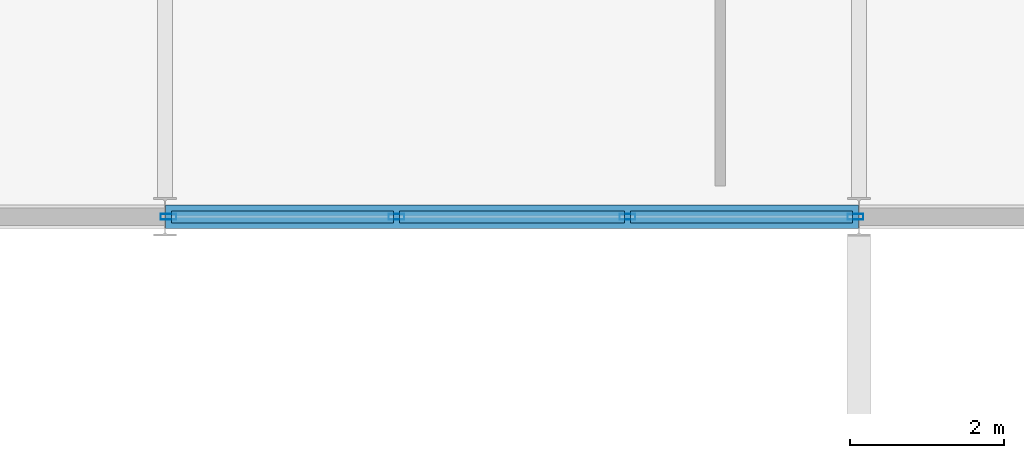
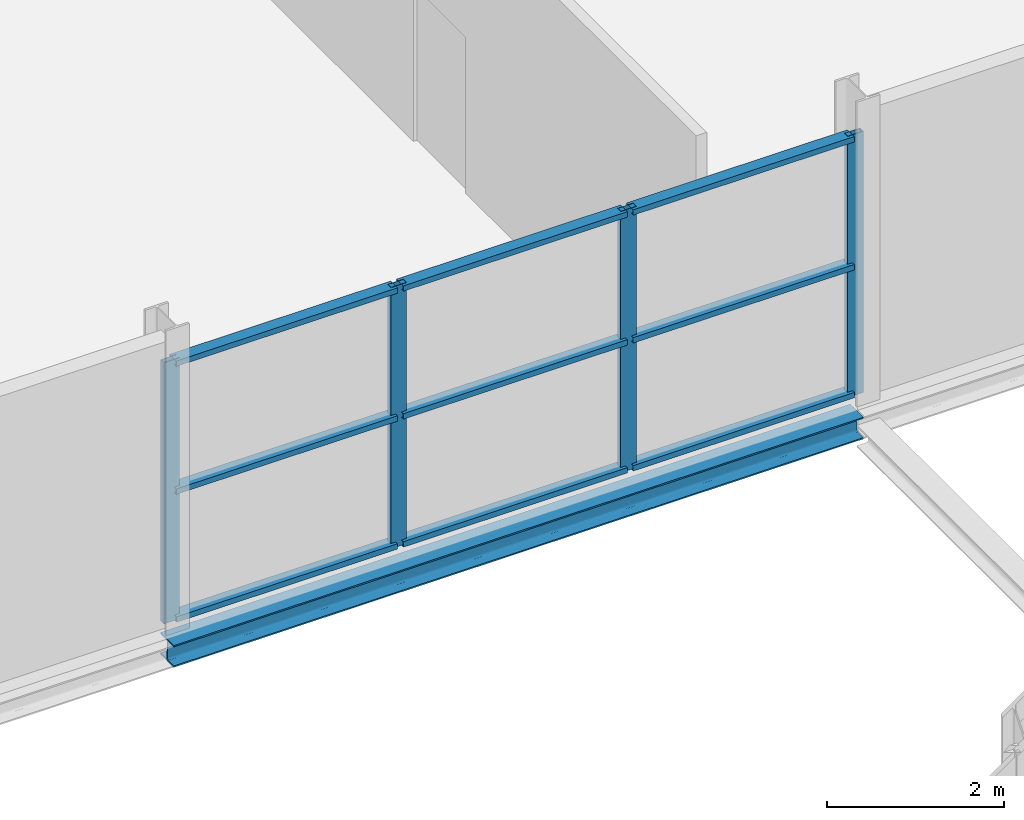
# One storey, part 43 of 135: 13 members, 1 beam, 1 element without a shape of its own.
"""IFC4 building model written with IfcOpenShell, lengths in metres."""

from ifc_helpers import new_model, si_unit, direction, frame, origin, origin_2d, place, context, subcontext, project, spatial, hollow_rectangle, i_section, extrude, material, layer, layer_set, material_profile, profile_set, type_object, element, aggregate, save


model = new_model("IFC4")

# Units and contexts
model_context = context("Model", 3, precision=1e-05, world=origin(), true_north=direction((0.0, 1.0)))
body_context = subcontext(model_context, "Body", "Model", "MODEL_VIEW")
ifc_project = project(units=[si_unit("LENGTHUNIT", "METRE"), si_unit("AREAUNIT", "SQUARE_METRE"), si_unit("VOLUMEUNIT", "CUBIC_METRE"), si_unit("PLANEANGLEUNIT", "RADIAN"), si_unit("MASSUNIT", "GRAM", prefix="KILO")], contexts=[model_context])

# Site, building, storey
site_placement = place(None, origin())
site = spatial("IfcSite", under=ifc_project, at=site_placement, CompositionType="ELEMENT")
building_placement = place(site_placement, origin())
building = spatial("IfcBuilding", under=site, at=building_placement, Name="Deido Ridge Mobility Hub", CompositionType="ELEMENT")
storey_placement = place(building_placement, frame((0.0, 0.0, 4.199951171875)))
storey = spatial("IfcBuildingStorey", under=building, at=storey_placement, Name="L01", CompositionType="ELEMENT", Elevation=4.199951171875)

# Curtain wall, members
ifc_material_1 = material(Name="Anodised aluminium EN AW-6063 T6", Category="aluminium")
ifc_layer = layer(ifc_material_1, 0.156005859375, Name="Anodised aluminium EN AW-6063 T6")
ifc_layer_set = layer_set([ifc_layer], Name="Anodised aluminium EN AW-6063 T6")
curtain_wall_type = type_object("IfcCurtainWallType", Name="CW-GS-3", PredefinedType="USERDEFINED", material=ifc_layer_set)
curtain_wall_placement = place(storey_placement, origin())
curtain_wall = element("IfcCurtainWall", 1, at=curtain_wall_placement, inside=storey, type_object=curtain_wall_type, Name="Unitised curtain wall GS3", ObjectType="GLAZED SCREEN", PredefinedType="USERDEFINED")
ifc_material_profile_1 = material_profile(ifc_material_1, hollow_rectangle(XDim=0.074951171875, YDim=0.205078125, WallThickness=0.00390625, at=origin_2d()), Name="RHS 75x205x4")
ifc_profile_set_1 = profile_set([ifc_material_profile_1], Name="Anodised aluminium EN AW-6063 T6")
member_type_1 = type_object("IfcMemberType", Name="MEM-MUL-75X205", PredefinedType="MULLION", material=ifc_profile_set_1)
member_1_placement = place(storey_placement, frame((18.044677734375, 45.0, 0.0), z_axis=(0.0, 0.0, 1.0), x_axis=(0.0, 1.0, 0.0)))
member_1 = element("IfcMember", 2, at=member_1_placement, type_object=member_type_1, Name="GS3 mullion 1", PredefinedType="MULLION", context=body_context, shape_type="SweptSolid", body=[
    extrude(hollow_rectangle(XDim=0.074951171875, YDim=0.205078125, WallThickness=0.00390625, at=origin_2d()), origin(), (0.0, 0.0, 1.0), 3.60009765625),
])
member_2_placement = place(storey_placement, frame((21.00244140625, 45.0, 0.0), z_axis=(0.0, 0.0, 1.0), x_axis=(0.0, 1.0, 0.0)))
member_2 = element("IfcMember", 3, at=member_2_placement, type_object=member_type_1, Name="GS3 mullion 2", PredefinedType="MULLION", context=body_context, shape_type="SweptSolid", body=[
    extrude(hollow_rectangle(XDim=0.074951171875, YDim=0.205078125, WallThickness=0.00390625, at=origin_2d()), origin(), (0.0, 0.0, 1.0), 3.60009765625),
])
member_3_placement = place(storey_placement, frame((23.99755859375, 45.0, 0.0), z_axis=(0.0, 0.0, 1.0), x_axis=(0.0, 1.0, 0.0)))
member_3 = element("IfcMember", 4, at=member_3_placement, type_object=member_type_1, Name="GS3 mullion 3", PredefinedType="MULLION", context=body_context, shape_type="SweptSolid", body=[
    extrude(hollow_rectangle(XDim=0.074951171875, YDim=0.205078125, WallThickness=0.00390625, at=origin_2d()), origin(), (0.0, 0.0, 1.0), 3.60009765625),
])
member_4_placement = place(storey_placement, frame((26.955322265625, 45.0, 0.0), z_axis=(0.0, 0.0, 1.0), x_axis=(0.0, 1.0, 0.0)))
member_4 = element("IfcMember", 5, at=member_4_placement, type_object=member_type_1, Name="GS3 mullion 4", PredefinedType="MULLION", context=body_context, shape_type="SweptSolid", body=[
    extrude(hollow_rectangle(XDim=0.074951171875, YDim=0.205078125, WallThickness=0.00390625, at=origin_2d()), origin(), (0.0, 0.0, 1.0), 3.60009765625),
])
ifc_material_profile_2 = material_profile(ifc_material_1, hollow_rectangle(XDim=0.155029296875, YDim=0.074951171875, WallThickness=0.00390625, at=origin_2d()), Name="RHS 155x75x4")
ifc_profile_set_2 = profile_set([ifc_material_profile_2], Name="Anodised aluminium EN AW-6063 T6")
member_type_2 = type_object("IfcMemberType", Name="MEM-TRN-155X75", PredefinedType="USERDEFINED", material=ifc_profile_set_2)
member_5_placement = place(storey_placement, frame((18.082275390625, 45.0, 0.03759765625), z_axis=(1.0, 0.0, 0.0), x_axis=(0.0, 1.0, 0.0)))
member_5 = element("IfcMember", 6, at=member_5_placement, type_object=member_type_2, Name="GS3 transom 1.1", ObjectType="TRANSOM", PredefinedType="USERDEFINED", context=body_context, shape_type="SweptSolid", body=[
    extrude(hollow_rectangle(XDim=0.155029296875, YDim=0.074951171875, WallThickness=0.00390625, at=origin_2d()), origin(), (0.0, 0.0, 1.0), 2.882568359375),
])
member_6_placement = place(storey_placement, frame((18.082275390625, 45.0, 1.800048828125), z_axis=(1.0, 0.0, 0.0), x_axis=(0.0, 1.0, 0.0)))
member_6 = element("IfcMember", 7, at=member_6_placement, type_object=member_type_2, Name="GS3 transom 1.2", ObjectType="TRANSOM", PredefinedType="USERDEFINED", context=body_context, shape_type="SweptSolid", body=[
    extrude(hollow_rectangle(XDim=0.155029296875, YDim=0.074951171875, WallThickness=0.00390625, at=origin_2d()), origin(), (0.0, 0.0, 1.0), 2.882568359375),
])
member_7_placement = place(storey_placement, frame((18.082275390625, 45.0, 3.5625), z_axis=(1.0, 0.0, 0.0), x_axis=(0.0, 1.0, 0.0)))
member_7 = element("IfcMember", 8, at=member_7_placement, type_object=member_type_2, Name="GS3 transom 1.3", ObjectType="TRANSOM", PredefinedType="USERDEFINED", context=body_context, shape_type="SweptSolid", body=[
    extrude(hollow_rectangle(XDim=0.155029296875, YDim=0.074951171875, WallThickness=0.00390625, at=origin_2d()), origin(), (0.0, 0.0, 1.0), 2.882568359375),
])
member_8_placement = place(storey_placement, frame((21.039794921875, 45.0, 0.03759765625), z_axis=(1.0, 0.0, 0.0), x_axis=(0.0, 1.0, 0.0)))
member_8 = element("IfcMember", 9, at=member_8_placement, type_object=member_type_2, Name="GS3 transom 2.1", ObjectType="TRANSOM", PredefinedType="USERDEFINED", context=body_context, shape_type="SweptSolid", body=[
    extrude(hollow_rectangle(XDim=0.155029296875, YDim=0.074951171875, WallThickness=0.00390625, at=origin_2d()), origin(), (0.0, 0.0, 1.0), 2.92041015625),
])
member_9_placement = place(storey_placement, frame((21.039794921875, 45.0, 1.800048828125), z_axis=(1.0, 0.0, 0.0), x_axis=(0.0, 1.0, 0.0)))
member_9 = element("IfcMember", 10, at=member_9_placement, type_object=member_type_2, Name="GS3 transom 2.2", ObjectType="TRANSOM", PredefinedType="USERDEFINED", context=body_context, shape_type="SweptSolid", body=[
    extrude(hollow_rectangle(XDim=0.155029296875, YDim=0.074951171875, WallThickness=0.00390625, at=origin_2d()), origin(), (0.0, 0.0, 1.0), 2.92041015625),
])
member_10_placement = place(storey_placement, frame((21.039794921875, 45.0, 3.5625), z_axis=(1.0, 0.0, 0.0), x_axis=(0.0, 1.0, 0.0)))
member_10 = element("IfcMember", 11, at=member_10_placement, type_object=member_type_2, Name="GS3 transom 2.3", ObjectType="TRANSOM", PredefinedType="USERDEFINED", context=body_context, shape_type="SweptSolid", body=[
    extrude(hollow_rectangle(XDim=0.155029296875, YDim=0.074951171875, WallThickness=0.00390625, at=origin_2d()), origin(), (0.0, 0.0, 1.0), 2.92041015625),
])
member_11_placement = place(storey_placement, frame((24.03515625, 45.0, 0.03759765625), z_axis=(1.0, 0.0, 0.0), x_axis=(0.0, 1.0, 0.0)))
member_11 = element("IfcMember", 12, at=member_11_placement, type_object=member_type_2, Name="GS3 transom 3.1", ObjectType="TRANSOM", PredefinedType="USERDEFINED", context=body_context, shape_type="SweptSolid", body=[
    extrude(hollow_rectangle(XDim=0.155029296875, YDim=0.074951171875, WallThickness=0.00390625, at=origin_2d()), origin(), (0.0, 0.0, 1.0), 2.882568359375),
])
member_12_placement = place(storey_placement, frame((24.03515625, 45.0, 1.800048828125), z_axis=(1.0, 0.0, 0.0), x_axis=(0.0, 1.0, 0.0)))
member_12 = element("IfcMember", 13, at=member_12_placement, type_object=member_type_2, Name="GS3 transom 3.2", ObjectType="TRANSOM", PredefinedType="USERDEFINED", context=body_context, shape_type="SweptSolid", body=[
    extrude(hollow_rectangle(XDim=0.155029296875, YDim=0.074951171875, WallThickness=0.00390625, at=origin_2d()), origin(), (0.0, 0.0, 1.0), 2.882568359375),
])
member_13_placement = place(storey_placement, frame((24.03515625, 45.0, 3.5625), z_axis=(1.0, 0.0, 0.0), x_axis=(0.0, 1.0, 0.0)))
member_13 = element("IfcMember", 14, at=member_13_placement, type_object=member_type_2, Name="GS3 transom 3.3", ObjectType="TRANSOM", PredefinedType="USERDEFINED", context=body_context, shape_type="SweptSolid", body=[
    extrude(hollow_rectangle(XDim=0.155029296875, YDim=0.074951171875, WallThickness=0.00390625, at=origin_2d()), origin(), (0.0, 0.0, 1.0), 2.882568359375),
])
aggregate(curtain_wall, [member_1, member_2, member_3, member_4, member_5, member_6, member_7, member_8, member_9, member_10, member_11, member_12, member_13])

# Beam
ifc_material_2 = material(Name="Steel S355J2 EN 10025-2", Category="steel")
ifc_material_profile_3 = material_profile(ifc_material_2, i_section(OverallWidth=0.300048828125, OverallDepth=0.300048828125, WebThickness=0.010986328125, FlangeThickness=0.01904296875, FilletRadius=0.027099609375, at=origin_2d()), Name="HEB 300")
ifc_profile_set_3 = profile_set([ifc_material_profile_3], Name="Steel S355J2 EN 10025-2")
beam_type = type_object("IfcBeamType", Name="SPD-HEB300", PredefinedType="SPANDREL", material=ifc_profile_set_3)
beam_placement = place(storey_placement, frame((18.007080078125, 45.0, -0.39990234375), z_axis=(1.0, 0.0, 0.0), x_axis=(0.0, 1.0, 0.0)))
element("IfcBeam", 15, at=beam_placement, inside=storey, type_object=beam_type, Name="Floor beam SP1", PredefinedType="SPANDREL", context=body_context, shape_type="SweptSolid", body=[
    extrude(i_section(OverallWidth=0.300048828125, OverallDepth=0.300048828125, WebThickness=0.010986328125, FlangeThickness=0.01904296875, FilletRadius=0.027099609375, at=origin_2d()), origin(), (0.0, 0.0, 1.0), 8.98583984375),
])

save(model, "model.ifc")
